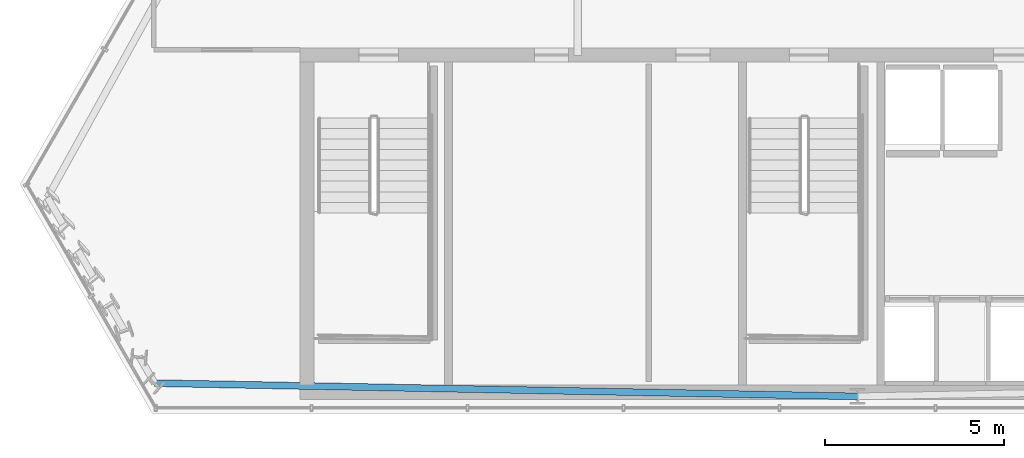
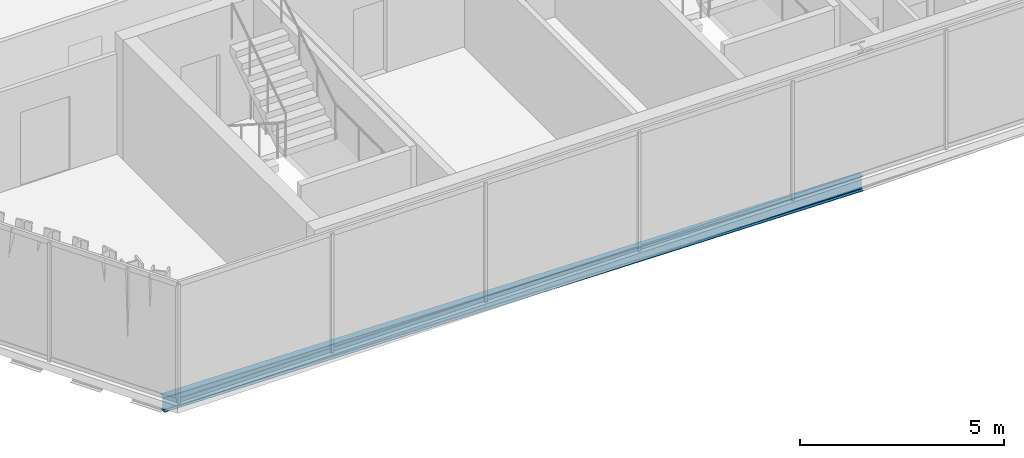
# One storey, part 3 of 29: 1 beam.
"""IFC4 building model written with IfcOpenShell, lengths in metres."""

from ifc_helpers import new_model, si_unit, direction, frame, origin, origin_2d, place, context, subcontext, project, spatial, i_section, extrude, material, material_profile, profile_set, type_object, element, save


model = new_model("IFC4")

# Units and contexts
model_context = context("Model", 3, precision=1e-05, world=origin(), true_north=direction((0.0, 1.0)))
body_context = subcontext(model_context, "Body", "Model", "MODEL_VIEW")
ifc_project = project(units=[si_unit("LENGTHUNIT", "METRE"), si_unit("AREAUNIT", "SQUARE_METRE"), si_unit("VOLUMEUNIT", "CUBIC_METRE"), si_unit("PLANEANGLEUNIT", "RADIAN"), si_unit("MASSUNIT", "GRAM", prefix="KILO")], contexts=[model_context])

# Site, building, storey
site_placement = place(None, origin())
site = spatial("IfcSite", under=ifc_project, at=site_placement, CompositionType="ELEMENT")
building_placement = place(site_placement, origin())
building = spatial("IfcBuilding", under=site, at=building_placement, Name="Ndaravel Arena Tower", CompositionType="ELEMENT")
storey_placement = place(building_placement, frame((0.0, 0.0, 237.0)))
storey = spatial("IfcBuildingStorey", under=building, at=storey_placement, Name="L57", CompositionType="ELEMENT", Elevation=237.0)

# Beam
ifc_material = material(Name="Steel S355", Category="steel")
ifc_material_profile = material_profile(ifc_material, i_section(OverallWidth=0.18994140625, OverallDepth=0.449951171875, WebThickness=0.009521484375, FlangeThickness=0.0146484375, FilletRadius=0.02099609375, at=origin_2d()), Name="IPE 450")
ifc_profile_set = profile_set([ifc_material_profile], Name="Steel S355")
beam_type = type_object("IfcBeamType", Name="BM-SPAN-IPE450", PredefinedType="SPANDREL", material=ifc_profile_set)
beam_placement = place(storey_placement, frame((22.402587890625, 5.849609375, -0.445068359375), z_axis=(0.999822176745, -0.018857754053, 0.0), x_axis=(0.018857754053, 0.999822176745, 0.0)))
element("IfcBeam", 1, at=beam_placement, inside=storey, type_object=beam_type, Name="L57 Perimeter Spandrel Beam SP-27", PredefinedType="SPANDREL", context=body_context, shape_type="SweptSolid", body=[
    extrude(i_section(OverallWidth=0.18994140625, OverallDepth=0.449951171875, WebThickness=0.009521484375, FlangeThickness=0.0146484375, FilletRadius=0.02099609375, at=origin_2d()), origin(), (0.0, 0.0, 1.0), 19.600830078125),
])

save(model, "model.ifc")
